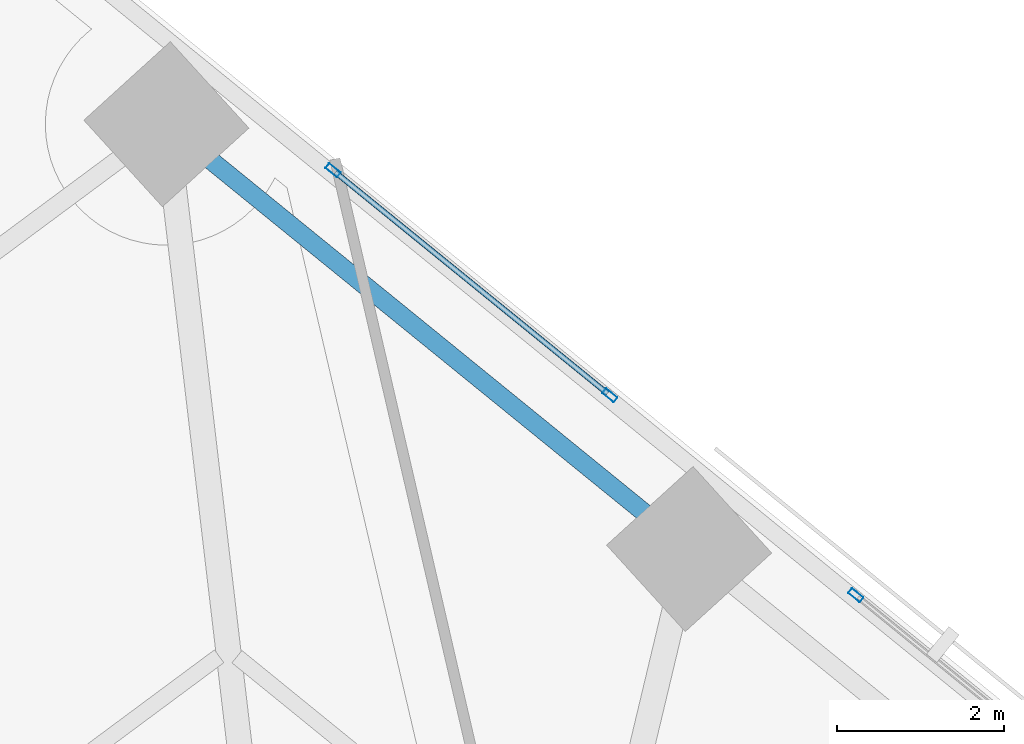
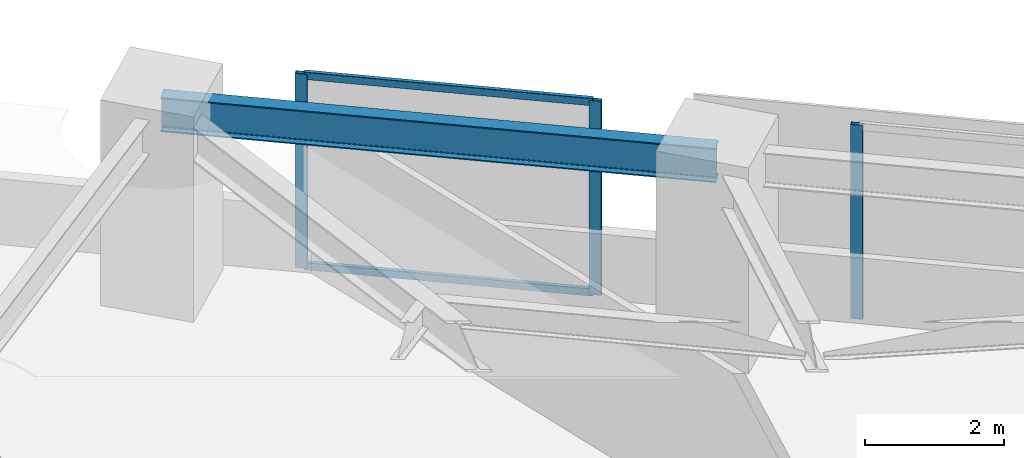
# One storey, part 9 of 17: 5 members, 1 beam, 2 elements without a shape of their own.
"""IFC4 building model written with IfcOpenShell, lengths in metres."""

from ifc_helpers import new_model, si_unit, direction, frame, origin, origin_2d, place, context, subcontext, project, spatial, hollow_rectangle, i_section, extrude, material, material_profile, profile_set, type_object, element, aggregate, save


model = new_model("IFC4")

# Units and contexts
model_context = context("Model", 3, precision=1e-05, world=origin(), true_north=direction((0.0, 1.0)))
body_context = subcontext(model_context, "Body", "Model", "MODEL_VIEW")
ifc_project = project(units=[si_unit("LENGTHUNIT", "METRE"), si_unit("AREAUNIT", "SQUARE_METRE"), si_unit("VOLUMEUNIT", "CUBIC_METRE"), si_unit("PLANEANGLEUNIT", "RADIAN"), si_unit("MASSUNIT", "GRAM", prefix="KILO")], contexts=[model_context])

# Site, building, storey
site_placement = place(None, origin())
site = spatial("IfcSite", under=ifc_project, at=site_placement, CompositionType="ELEMENT")
building_placement = place(site_placement, origin())
building = spatial("IfcBuilding", under=site, at=building_placement, Name="Narakoshi Arena Tower", CompositionType="ELEMENT")
storey_placement = place(building_placement, frame((0.0, 0.0, 51.89990234375)))
storey = spatial("IfcBuildingStorey", under=building, at=storey_placement, Name="L13", CompositionType="ELEMENT", Elevation=51.89990234375)

# Beam
ifc_material_1 = material(Name="Structural steel S355J2", Category="steel")
ifc_material_profile_1 = material_profile(ifc_material_1, i_section(OverallWidth=0.219970703125, OverallDepth=0.60009765625, WebThickness=0.011962890625, FlangeThickness=0.01904296875, FilletRadius=0.02392578125, at=origin_2d()), Name="IPE600")
ifc_profile_set_1 = profile_set([ifc_material_profile_1], Name="Structural steel S355J2")
beam_type = type_object("IfcBeamType", Name="BM-EDGE-600", PredefinedType="BEAM", material=ifc_profile_set_1)
beam_placement = place(storey_placement, frame((75.794189453125, 72.392333984375, 3.10009765625), z_axis=(-0.775993703931, 0.63074065309, 0.0), x_axis=(-0.63074065309, -0.775993703931, 0.0)))
element("IfcBeam", 1, at=beam_placement, inside=storey, type_object=beam_type, Name="L13 Perimeter Edge Girder 11", PredefinedType="BEAM", context=body_context, shape_type="SweptSolid", body=[
    extrude(i_section(OverallWidth=0.219970703125, OverallDepth=0.60009765625, WebThickness=0.011962890625, FlangeThickness=0.01904296875, FilletRadius=0.02392578125, at=origin_2d()), origin(), (0.0, 0.0, 1.0), 8.0712890625),
])

# Curtain wall, member
ifc_material_2 = material(Name="Anodised bronze aluminium 6063-T6", Category="aluminium")
curtain_wall_type = type_object("IfcCurtainWallType", Name="CW-HYP-LOW", PredefinedType="NOTDEFINED", material=ifc_material_2)
curtain_wall_1_placement = place(storey_placement, origin())
curtain_wall_1 = element("IfcCurtainWall", 2, at=curtain_wall_1_placement, inside=storey, type_object=curtain_wall_type, Name="L13 Folded Hypotenuse Curtain Wall 2-3", PredefinedType="NOTDEFINED")
ifc_material_profile_2 = material_profile(ifc_material_2, hollow_rectangle(XDim=0.074951171875, YDim=0.179931640625, WallThickness=0.00390625, OuterFilletRadius=0.0048828125, at=origin_2d()), Name="MUL180x75x4")
ifc_profile_set_2 = profile_set([ifc_material_profile_2], Name="Anodised bronze aluminium 6063-T6")
member_type_1 = type_object("IfcMemberType", Name="MEM-MUL-180", PredefinedType="MULLION", material=ifc_profile_set_2)
member_1_placement = place(storey_placement, frame((77.791015625, 71.8388671875, 0.0), z_axis=(0.0, 0.0, 1.0), x_axis=(-0.630722984816, -0.776008064665, 0.0)))
member_1 = element("IfcMember", 3, at=member_1_placement, type_object=member_type_1, Name="CW-01 mullion 2", PredefinedType="MULLION", context=body_context, shape_type="SweptSolid", body=[
    extrude(hollow_rectangle(XDim=0.074951171875, YDim=0.179931640625, WallThickness=0.00390625, OuterFilletRadius=0.0048828125, at=origin_2d()), origin(), (0.0, 0.0, 1.0), 3.400146484375),
])
aggregate(curtain_wall_1, [member_1])

# Curtain wall, members
curtain_wall_2_placement = place(storey_placement, origin())
curtain_wall_2 = element("IfcCurtainWall", 4, at=curtain_wall_2_placement, inside=storey, type_object=curtain_wall_type, Name="L13 Folded Hypotenuse Curtain Wall 2-4", PredefinedType="NOTDEFINED")
member_2_placement = place(storey_placement, frame((74.843994140625, 74.234130859375, 0.0), z_axis=(0.0, 0.0, 1.0), x_axis=(-0.630733728817, -0.775999332044, 0.0)))
member_2 = element("IfcMember", 5, at=member_2_placement, type_object=member_type_1, Name="CW-01 mullion 1", PredefinedType="MULLION", context=body_context, shape_type="SweptSolid", body=[
    extrude(hollow_rectangle(XDim=0.074951171875, YDim=0.179931640625, WallThickness=0.00390625, OuterFilletRadius=0.0048828125, at=origin_2d()), origin(), (0.0, 0.0, 1.0), 3.400146484375),
])
member_3_placement = place(storey_placement, frame((71.52783203125, 76.9296875, 0.0), z_axis=(0.0, 0.0, 1.0), x_axis=(-0.630733728817, -0.775999332044, 0.0)))
member_3 = element("IfcMember", 6, at=member_3_placement, type_object=member_type_1, Name="CW-01 mullion 2", PredefinedType="MULLION", context=body_context, shape_type="SweptSolid", body=[
    extrude(hollow_rectangle(XDim=0.074951171875, YDim=0.179931640625, WallThickness=0.00390625, OuterFilletRadius=0.0048828125, at=origin_2d()), origin(), (0.0, 0.0, 1.0), 3.400146484375),
])
ifc_material_profile_3 = material_profile(ifc_material_2, hollow_rectangle(XDim=0.06494140625, YDim=0.1298828125, WallThickness=0.00390625, OuterFilletRadius=0.0048828125, at=origin_2d()), Name="TRN130x65x4")
ifc_profile_set_3 = profile_set([ifc_material_profile_3], Name="Anodised bronze aluminium 6063-T6")
member_type_2 = type_object("IfcMemberType", Name="MEM-TRN-130", PredefinedType="USERDEFINED", material=ifc_profile_set_3)
member_4_placement = place(storey_placement, frame((74.81494140625, 74.2578125, 0.03271484375), z_axis=(-0.775994815564, 0.630739285457, 0.0), x_axis=(-0.630739285457, -0.775994815564, 0.0)))
member_4 = element("IfcMember", 7, at=member_4_placement, type_object=member_type_2, Name="CW-01 transom 1.1", ObjectType="TRANSOM", PredefinedType="USERDEFINED", context=body_context, shape_type="SweptSolid", body=[
    extrude(hollow_rectangle(XDim=0.06494140625, YDim=0.1298828125, WallThickness=0.00390625, OuterFilletRadius=0.0048828125, at=origin_2d()), origin(), (0.0, 0.0, 1.0), 4.198486328125),
])
member_5_placement = place(storey_placement, frame((74.81494140625, 74.2578125, 3.36767578125), z_axis=(-0.775994815564, 0.630739285457, 0.0), x_axis=(-0.630739285457, -0.775994815564, 0.0)))
member_5 = element("IfcMember", 8, at=member_5_placement, type_object=member_type_2, Name="CW-01 transom 1.2", ObjectType="TRANSOM", PredefinedType="USERDEFINED", context=body_context, shape_type="SweptSolid", body=[
    extrude(hollow_rectangle(XDim=0.06494140625, YDim=0.1298828125, WallThickness=0.00390625, OuterFilletRadius=0.0048828125, at=origin_2d()), origin(), (0.0, 0.0, 1.0), 4.198486328125),
])
aggregate(curtain_wall_2, [member_2, member_3, member_4, member_5])

save(model, "model.ifc")
